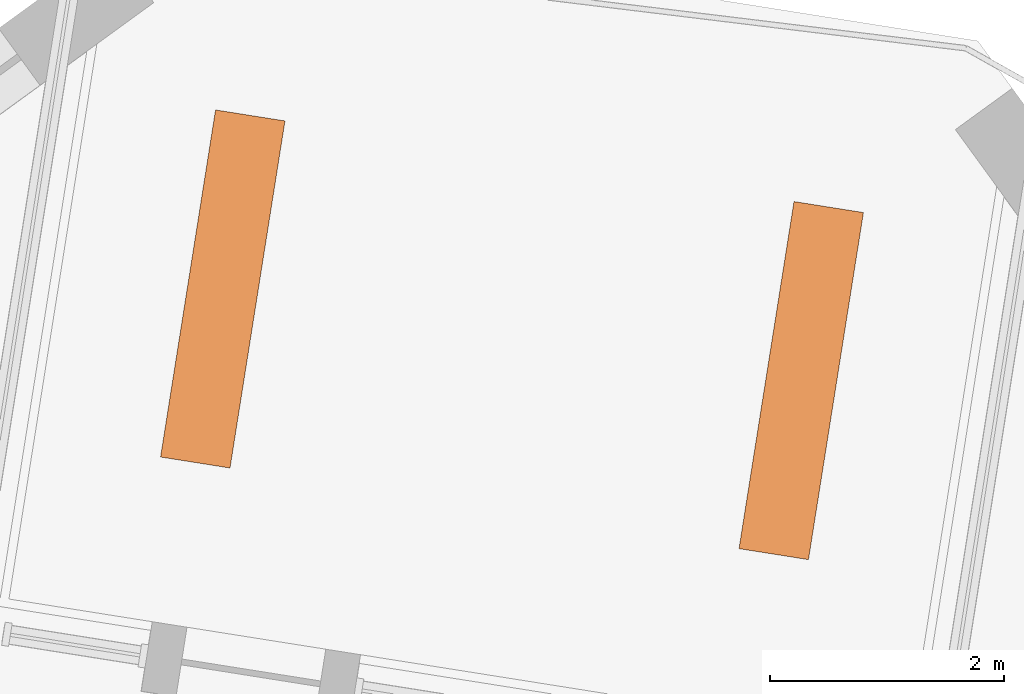
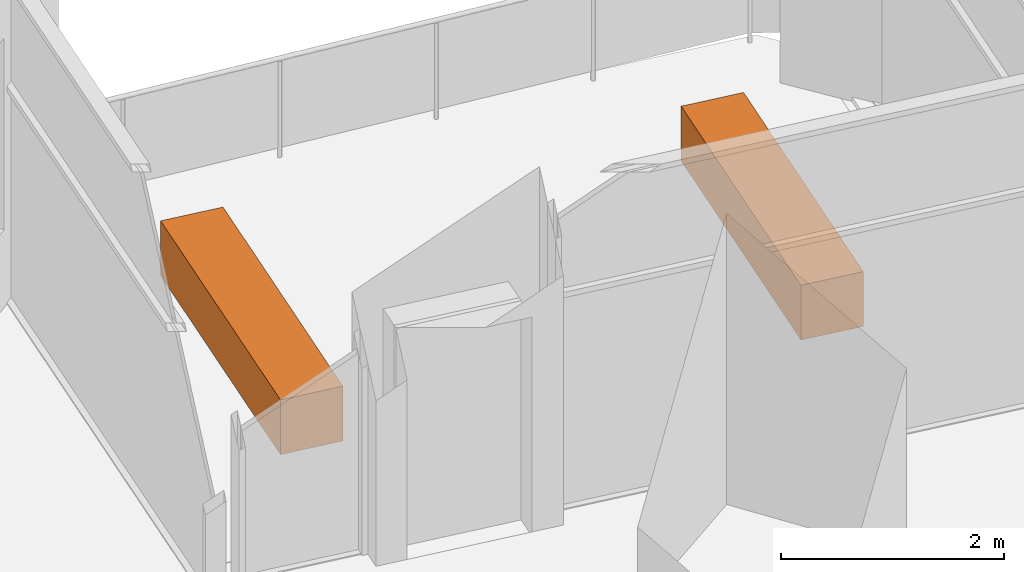
# One storey, part 11 of 11: 2 proxies.
"""IFC4 building model written with IfcOpenShell, lengths in metres."""

import ifcopenshell
import ifcopenshell.guid

model = None  # the IFC model being written
_history = None  # IfcOwnerHistory: only IFC2X3 demands one
_inside = {}  # id of a spatial element -> (the spatial element, [elements in it])
_under = {}  # id of a project, library or spatial element -> (it, [spatial elements below it])
_declared = {}  # id of a project -> (the project, [libraries it declares])
_typed = {}  # id of a type object -> (the type object, [elements of that type])
_made_of = {}  # id of a material, layer set ... -> (it, [elements and type objects made of it])


def new_model(schema):
    """Start an empty IFC model of exactly this schema.

    Asked for "IFC4X3", IfcOpenShell would pick the latest addendum, in which some entities
    have other attributes; the version numbers below select the first issue.
    IFC2X3 requires an IfcOwnerHistory on every rooted entity: one is made here for all.
    """
    global model, _history
    if schema == "IFC4X3":
        model = ifcopenshell.file(schema_version=(4, 3, 0, 0))
    else:
        model = ifcopenshell.file(schema=schema)
    _inside.clear()
    _under.clear()
    _declared.clear()
    _typed.clear()
    _made_of.clear()
    _history = None
    if model.schema == "IFC2X3":
        org = make("IfcOrganization", Name="unknown")
        user = make(
            "IfcPersonAndOrganization",
            ThePerson=make("IfcPerson", FamilyName="unknown"),
            TheOrganization=org,
        )
        app = make(
            "IfcApplication",
            ApplicationDeveloper=org,
            Version="unknown",
            ApplicationFullName="unknown",
            ApplicationIdentifier="unknown",
        )
        _history = make(
            "IfcOwnerHistory",
            OwningUser=user,
            OwningApplication=app,
            ChangeAction="ADDED",
            CreationDate=0,
        )
    return model


def make(cls, **values):
    """One entity of the class cls with the attributes given. An attribute that is None is left unset."""
    return model.create_entity(
        cls, **{name: value for name, value in values.items() if value is not None}
    )


def rooted(cls, **values):
    """An entity with a GlobalId (a new one), such as an element, a storey or a relation."""
    return make(cls, GlobalId=ifcopenshell.guid.new(), OwnerHistory=_history, **values)


def si_unit(unit_type, name, prefix=None):
    """IfcSIUnit, for example si_unit("LENGTHUNIT", "METRE", prefix="MILLI")."""
    return make("IfcSIUnit", UnitType=unit_type, Prefix=prefix, Name=name)


def assignment(units):
    """IfcUnitAssignment: the units of a project."""
    return None if units is None else make("IfcUnitAssignment", Units=units)


def point(xyz):
    """IfcCartesianPoint."""
    return None if xyz is None else make("IfcCartesianPoint", Coordinates=xyz)


def direction(xyz):
    """IfcDirection."""
    return None if xyz is None else make("IfcDirection", DirectionRatios=xyz)


def frame(location, z_axis=None, x_axis=None):
    """IfcAxis2Placement3D, a coordinate frame: its origin and axes. An axis left out is left unset."""
    return make(
        "IfcAxis2Placement3D",
        Location=point(location),
        Axis=direction(z_axis),
        RefDirection=direction(x_axis),
    )


def frame_2d(location, x_axis=None):
    """IfcAxis2Placement2D, a coordinate frame in the plane: its origin and x axis."""
    return make(
        "IfcAxis2Placement2D", Location=point(location), RefDirection=direction(x_axis)
    )


def origin():
    """The frame at (0, 0, 0) with its axes left unset."""
    return frame((0.0, 0.0, 0.0))


def origin_2d():
    """The frame at (0, 0) in the plane with its x axis left unset."""
    return frame_2d((0.0, 0.0))


def place(relative_to, where):
    """IfcLocalPlacement: puts the frame where relative to a parent placement (None: the world)."""
    return make(
        "IfcLocalPlacement", PlacementRelTo=relative_to, RelativePlacement=where
    )


def context(
    kind, dimensions, precision=None, world=None, true_north=None, identifier=None
):
    """IfcGeometricRepresentationContext, for example the 3D "Model" context."""
    return make(
        "IfcGeometricRepresentationContext",
        ContextIdentifier=identifier,
        ContextType=kind,
        CoordinateSpaceDimension=dimensions,
        Precision=precision,
        WorldCoordinateSystem=world,
        TrueNorth=true_north,
    )


def subcontext(parent, identifier, kind, view, scale=None):
    """IfcGeometricRepresentationSubContext, for example "Body" below "Model"."""
    return make(
        "IfcGeometricRepresentationSubContext",
        ContextIdentifier=identifier,
        ContextType=kind,
        ParentContext=parent,
        TargetScale=scale,
        TargetView=view,
    )


def project(units=None, contexts=None):
    """IfcProject with its units and contexts."""
    return rooted(
        "IfcProject",
        Name="project",
        RepresentationContexts=contexts,
        UnitsInContext=assignment(units),
    )


def spatial(cls, under=None, at=None, **own):
    """A site, building, storey or space (cls), placed at a placement, below another one or the project."""
    s = rooted(cls, ObjectPlacement=at, **own)
    if under is not None:
        _under.setdefault(under.id(), (under, []))[1].append(s)
    return s


def profile(cls, at=None, kind="AREA", **sizes):
    """A parametric profile (cls). Its sizes go by their IFC names, for example OverallWidth=200.0."""
    return make(cls, ProfileType=kind, Position=at, **sizes)


def rectangle(**sizes):
    """IfcRectangleProfileDef."""
    return profile("IfcRectangleProfileDef", **sizes)


def extrude(swept, where, along, depth):
    """IfcExtrudedAreaSolid: the profile swept, set in the frame where, extruded along a direction by depth."""
    return make(
        "IfcExtrudedAreaSolid",
        SweptArea=swept,
        Position=where,
        ExtrudedDirection=direction(along),
        Depth=depth,
    )


def shape(context_of_items, identifier, shape_type, items):
    """IfcShapeRepresentation: the items that make up one representation, for example the "Body"."""
    return make(
        "IfcShapeRepresentation",
        ContextOfItems=context_of_items,
        RepresentationIdentifier=identifier,
        RepresentationType=shape_type,
        Items=items,
    )


def made_of(thing, what):
    """Note that an element or type object is made of a material, layer set ...; save() writes the relation."""
    if what is not None:
        _made_of.setdefault(what.id(), (what, []))[1].append(thing)
    return thing


def element(
    cls,
    number,
    at=None,
    inside=None,
    cuts=None,
    type_object=None,
    material=None,
    context=None,
    identifier="Body",
    shape_type=None,
    held_by="IfcProductDefinitionShape",
    body=None,
    shapes=None,
    **own,
):
    """One element of the class cls, such as IfcWall. Its Tag is "e" and its number.

    at: its placement. inside: the storey or other place that contains it. cuts: it is an
    opening in that element (IfcRelVoidsElement). A single representation is given by context,
    identifier, shape_type and body (its items); several are given by shapes. held_by: the class
    of the entity that holds the representations. save() writes the other relations.
    """
    e = rooted(cls, Tag="e%d" % number, ObjectPlacement=at, **own)
    if body is not None:
        shapes = [shape(context, identifier, shape_type, body)]
    if shapes is not None:
        e.Representation = make(held_by, Representations=shapes)
    if inside is not None:
        _inside.setdefault(inside.id(), (inside, []))[1].append(e)
    if cuts is not None:
        rooted(
            "IfcRelVoidsElement", RelatingBuildingElement=cuts, RelatedOpeningElement=e
        )
    if type_object is not None:
        _typed.setdefault(type_object.id(), (type_object, []))[1].append(e)
    return made_of(e, material)


def aggregate(whole, parts):
    """IfcRelAggregates: a whole, such as a stair, and the parts it consists of."""
    return rooted("IfcRelAggregates", RelatingObject=whole, RelatedObjects=parts)


def save(model, path):
    """Write the relations noted so far, then the file.

    IfcRelAggregates (storeys below a building ...), IfcRelContainedInSpatialStructure (elements
    in a storey), IfcRelDefinesByType, IfcRelAssociatesMaterial and IfcRelDeclares: one each for
    every whole, place, type object, material and project.
    """
    for whole, parts in _under.values():
        aggregate(whole, parts)
    for where, things in _inside.values():
        rooted(
            "IfcRelContainedInSpatialStructure",
            RelatedElements=things,
            RelatingStructure=where,
        )
    for kind, things in _typed.values():
        rooted("IfcRelDefinesByType", RelatedObjects=things, RelatingType=kind)
    for what, things in _made_of.values():
        rooted("IfcRelAssociatesMaterial", RelatedObjects=things, RelatingMaterial=what)
    for by, libraries in _declared.values():
        rooted("IfcRelDeclares", RelatingContext=by, RelatedDefinitions=libraries)
    model.write(path)


model = new_model("IFC4")

# Units and contexts
model_context = context("Model", 3, precision=1e-05, world=origin(), true_north=direction((0.0, 1.0)))
body_context = subcontext(model_context, "Body", "Model", "MODEL_VIEW")
ifc_project = project(units=[si_unit("LENGTHUNIT", "METRE"), si_unit("AREAUNIT", "SQUARE_METRE"), si_unit("VOLUMEUNIT", "CUBIC_METRE"), si_unit("PLANEANGLEUNIT", "RADIAN"), si_unit("MASSUNIT", "GRAM", prefix="KILO")], contexts=[model_context])

# Site, building, storey
site_placement = place(None, origin())
site = spatial("IfcSite", under=ifc_project, at=site_placement, CompositionType="ELEMENT")
building_placement = place(site_placement, origin())
building = spatial("IfcBuilding", under=site, at=building_placement, Name="Dilmun Exchange Tower", CompositionType="ELEMENT")
storey_placement = place(building_placement, frame((0.0, 0.0, 163.699951171875)))
storey = spatial("IfcBuildingStorey", under=building, at=storey_placement, Name="L38", CompositionType="ELEMENT", Elevation=163.699951171875)

# Proxies
for number, where, z_axis, x_axis, name in (
    (1, (10.18408203125, 32.046630859375, 0.0), (0.0, 0.0, 1.0), (0.15643446504, 0.987688340595, 0.0), "PLANTER Ghaf tree L38.1"),
    (2, (5.24560546875, 32.828857421875, 0.0), (0.0, 0.0, 1.0), (0.15643446504, 0.987688340595, 0.0), "PLANTER Ghaf tree L38.2"),
):
    element("IfcBuildingElementProxy", number, at=place(storey_placement, frame(where, z_axis=z_axis, x_axis=x_axis)), inside=storey, Name=name, ObjectType="PLANTER", PredefinedType="USERDEFINED", context=body_context, shape_type="SweptSolid", body=[
        extrude(rectangle(XDim=3.0, YDim=0.60009765625, at=origin_2d()), origin(), (0.0, 0.0, 1.0), 0.60009765625),
    ])

save(model, "model.ifc")
